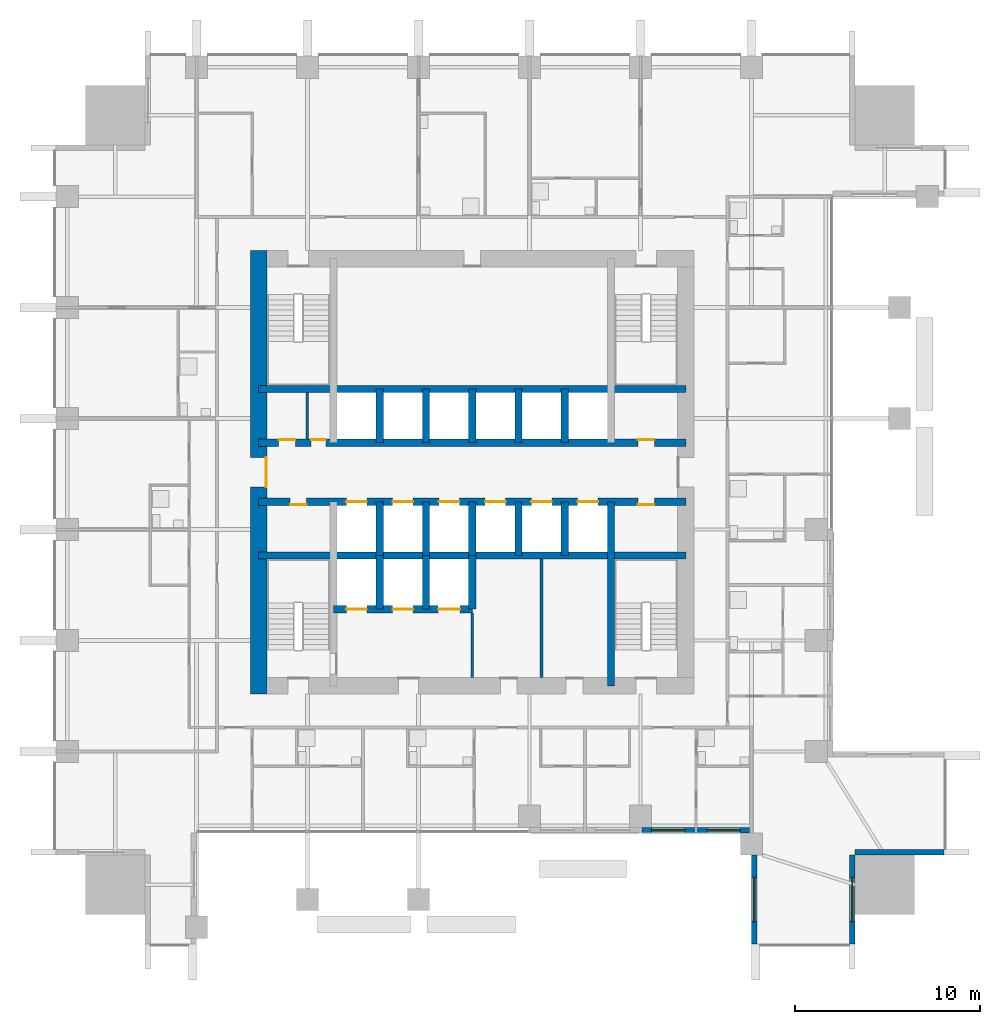
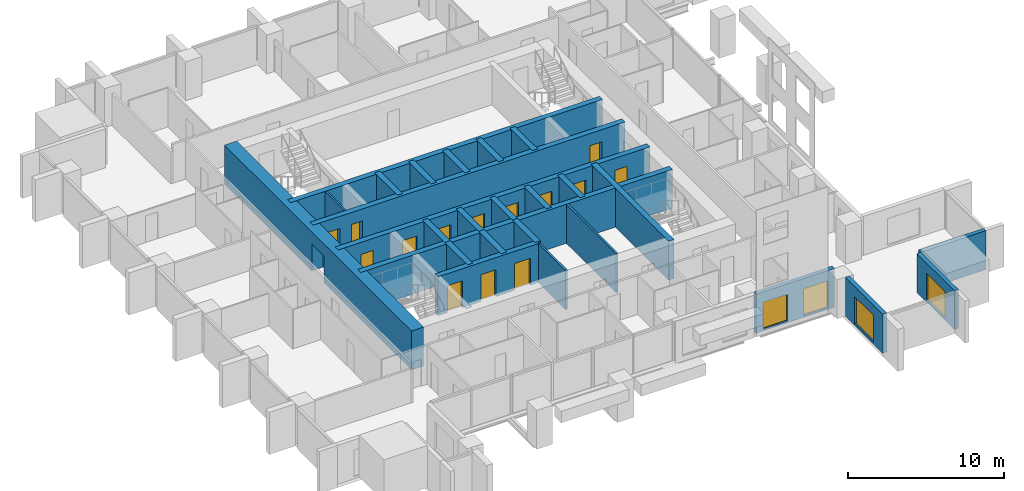
# One storey, part 8 of 13: 27 walls, 15 doors, 4 windows, 19 openings.
"""IFC4 building model written with IfcOpenShell, lengths in metres."""

from ifc_helpers import new_model, si_unit, direction, frame, frame_2d, origin, place, context, subcontext, project, spatial, rectangle, extrude, material, layer, layer_set, type_object, element, fill, save


model = new_model("IFC4")

# Units and contexts
model_context = context("Model", 3, precision=1e-05, world=origin(), true_north=direction((0.0, 1.0)))
body_context = subcontext(model_context, "Body", "Model", "MODEL_VIEW")
ifc_project = project(units=[si_unit("LENGTHUNIT", "METRE"), si_unit("AREAUNIT", "SQUARE_METRE"), si_unit("VOLUMEUNIT", "CUBIC_METRE"), si_unit("PLANEANGLEUNIT", "RADIAN"), si_unit("MASSUNIT", "GRAM", prefix="KILO")], contexts=[model_context])

# Site, building, storey
site_placement = place(None, origin())
site = spatial("IfcSite", under=ifc_project, at=site_placement, CompositionType="ELEMENT")
building_placement = place(site_placement, origin())
building = spatial("IfcBuilding", under=site, at=building_placement, Name="Amberfall Residences", CompositionType="ELEMENT")
storey_placement = place(building_placement, frame((0.0, 0.0, 56.5)))
storey = spatial("IfcBuildingStorey", under=building, at=storey_placement, Name="L15", CompositionType="ELEMENT", Elevation=56.5)

# Wall, opening, window
ifc_material_1 = material(Name="Pale stone cladding on insulated backing", Category="masonry")
ifc_layer_1 = layer(ifc_material_1, 0.300048828125)
ifc_layer_set_1 = layer_set([ifc_layer_1], Name="Bronze clad wall 300")
wall_type_1 = type_object("IfcWallType", Name="Bronze clad wall 300", PredefinedType="SOLIDWALL", material=ifc_layer_set_1)
wall_1_placement = place(storey_placement, frame((89.75, 24.800048828125, 0.0), z_axis=(0.0, 0.0, 1.0), x_axis=(0.0, -1.0, 0.0)))
wall_1 = element("IfcWall", 1, at=wall_1_placement, inside=storey, type_object=wall_type_1, Name="External wall L15 S", PredefinedType="SOLIDWALL", context=body_context, shape_type="SweptSolid", body=[
    extrude(rectangle(XDim=4.800048828125, YDim=0.300048828125, at=frame_2d((2.39990234375, 0.0))), origin(), (0.0, 0.0, 1.0), 3.050048828125),
])
opening_1_placement = place(wall_1_placement, frame((1.199951171875, 0.0, 0.14990234375)))
opening_1 = element("IfcOpeningElement", 2, at=opening_1_placement, cuts=wall_1, Name="Opening WN5", PredefinedType="OPENING", context=body_context, shape_type="SweptSolid", body=[
    extrude(rectangle(XDim=2.39990234375, YDim=2.10009765625, at=frame_2d((1.199951171875, 1.050048828125))), frame((0.0, 0.159912109375, 0.0), z_axis=(0.0, -1.0, 0.0), x_axis=(1.0, 0.0, 0.0)), (0.0, 0.0, 1.0), 0.320068359375),
])
ifc_material_2 = material(Name="Bronze aluminium framed glazing", Category="aluminium")
window_type_1 = type_object("IfcWindowType", Name="Glazed opening 2400 x 2100 bronze", PartitioningType="DOUBLE_PANEL_VERTICAL", PredefinedType="WINDOW", material=ifc_material_2)
window_1_placement = place(opening_1_placement, origin())
window_1 = element("IfcWindow", 3, at=window_1_placement, inside=storey, type_object=window_type_1, Name="Window L15 S", OverallHeight=2.10009765625, OverallWidth=2.39990234375, PartitioningType="DOUBLE_PANEL_VERTICAL", PredefinedType="WINDOW", context=body_context, shape_type="SweptSolid", body=[
    extrude(rectangle(XDim=2.39990234375, YDim=2.10009765625, at=frame_2d((1.199951171875, 1.050048828125))), frame((0.0, 0.030029296875, 0.0), z_axis=(0.0, -1.0, 0.0), x_axis=(1.0, 0.0, 0.0)), (0.0, 0.0, 1.0), 0.06005859375),
])
fill(opening_1, window_1)

wall_2_placement = place(storey_placement, frame((95.050048828125, 20.0, 0.0), z_axis=(0.0, 0.0, 1.0), x_axis=(0.0, 1.0, 0.0)))
wall_2 = element("IfcWall", 4, at=wall_2_placement, inside=storey, type_object=wall_type_1, Name="External wall L15 SE", PredefinedType="SOLIDWALL", context=body_context, shape_type="SweptSolid", body=[
    extrude(rectangle(XDim=4.800048828125, YDim=0.300048828125, at=frame_2d((2.39990234375, 0.0))), origin(), (0.0, 0.0, 1.0), 3.050048828125),
])
opening_2_placement = place(wall_2_placement, frame((1.199951171875, 0.0, 0.14990234375)))
opening_2 = element("IfcOpeningElement", 5, at=opening_2_placement, cuts=wall_2, Name="Opening WN5", PredefinedType="OPENING", context=body_context, shape_type="SweptSolid", body=[
    extrude(rectangle(XDim=2.39990234375, YDim=2.10009765625, at=frame_2d((1.199951171875, 1.050048828125))), frame((0.0, 0.159912109375, 0.0), z_axis=(0.0, -1.0, 0.0), x_axis=(1.0, 0.0, 0.0)), (0.0, 0.0, 1.0), 0.320068359375),
])
window_2_placement = place(opening_2_placement, origin())
window_2 = element("IfcWindow", 6, at=window_2_placement, inside=storey, type_object=window_type_1, Name="Window L15 SE", OverallHeight=2.10009765625, OverallWidth=2.39990234375, PartitioningType="DOUBLE_PANEL_VERTICAL", PredefinedType="WINDOW", context=body_context, shape_type="SweptSolid", body=[
    extrude(rectangle(XDim=2.39990234375, YDim=2.10009765625, at=frame_2d((1.199951171875, 1.050048828125))), frame((0.0, 0.030029296875, 0.0), z_axis=(0.0, -1.0, 0.0), x_axis=(1.0, 0.0, 0.0)), (0.0, 0.0, 1.0), 0.06005859375),
])
fill(opening_2, window_2)

# Wall
wall_3_placement = place(storey_placement, frame((95.199951171875, 24.949951171875, 0.0), z_axis=(0.0, 0.0, 1.0), x_axis=(1.0, 0.0, 0.0)))
element("IfcWall", 7, at=wall_3_placement, inside=storey, type_object=wall_type_1, Name="External wall L15 SE", PredefinedType="SOLIDWALL", context=body_context, shape_type="SweptSolid", body=[
    extrude(rectangle(XDim=4.800048828125, YDim=0.300048828125, at=frame_2d((2.39990234375, 0.0))), origin(), (0.0, 0.0, 1.0), 3.050048828125),
])

# Wall, openings, windows
wall_4_placement = place(storey_placement, frame((83.68994140625, 26.14990234375, 0.0), z_axis=(0.0, 0.0, 1.0), x_axis=(1.0, 0.0, 0.0)))
wall_4 = element("IfcWall", 8, at=wall_4_placement, inside=storey, type_object=wall_type_1, Name="Stone wall L15 S", PredefinedType="SOLIDWALL", context=body_context, shape_type="SweptSolid", body=[
    extrude(rectangle(XDim=5.800048828125, YDim=0.300048828125, at=frame_2d((2.89990234375, 0.0))), origin(), (0.0, 0.0, 1.0), 3.050048828125),
])
opening_3_placement = place(wall_4_placement, frame((0.510009765625, 0.0, 0.14990234375)))
opening_3 = element("IfcOpeningElement", 9, at=opening_3_placement, cuts=wall_4, Name="Opening WN6", PredefinedType="OPENING", context=body_context, shape_type="SweptSolid", body=[
    extrude(rectangle(XDim=1.800048828125, YDim=2.10009765625, at=frame_2d((0.89990234375, 1.050048828125))), frame((0.0, 0.159912109375, 0.0), z_axis=(0.0, -1.0, 0.0), x_axis=(1.0, 0.0, 0.0)), (0.0, 0.0, 1.0), 0.320068359375),
])
opening_4_placement = place(wall_4_placement, frame((3.510009765625, 0.0, 0.14990234375)))
opening_4 = element("IfcOpeningElement", 10, at=opening_4_placement, cuts=wall_4, Name="Opening WN6", PredefinedType="OPENING", context=body_context, shape_type="SweptSolid", body=[
    extrude(rectangle(XDim=1.800048828125, YDim=2.10009765625, at=frame_2d((0.89990234375, 1.050048828125))), frame((0.0, 0.159912109375, 0.0), z_axis=(0.0, -1.0, 0.0), x_axis=(1.0, 0.0, 0.0)), (0.0, 0.0, 1.0), 0.320068359375),
])
window_type_2 = type_object("IfcWindowType", Name="Glazed opening 1800 x 2100 bronze", PartitioningType="DOUBLE_PANEL_VERTICAL", PredefinedType="WINDOW", material=ifc_material_2)
window_3_placement = place(opening_3_placement, origin())
window_3 = element("IfcWindow", 11, at=window_3_placement, inside=storey, type_object=window_type_2, Name="Window L15 S", OverallHeight=2.10009765625, OverallWidth=1.800048828125, PartitioningType="DOUBLE_PANEL_VERTICAL", PredefinedType="WINDOW", context=body_context, shape_type="SweptSolid", body=[
    extrude(rectangle(XDim=1.800048828125, YDim=2.10009765625, at=frame_2d((0.89990234375, 1.050048828125))), frame((0.0, 0.030029296875, 0.0), z_axis=(0.0, -1.0, 0.0), x_axis=(1.0, 0.0, 0.0)), (0.0, 0.0, 1.0), 0.06005859375),
])
fill(opening_3, window_3)
window_4_placement = place(opening_4_placement, origin())
window_4 = element("IfcWindow", 12, at=window_4_placement, inside=storey, type_object=window_type_2, Name="Window L15 S", OverallHeight=2.10009765625, OverallWidth=1.800048828125, PartitioningType="DOUBLE_PANEL_VERTICAL", PredefinedType="WINDOW", context=body_context, shape_type="SweptSolid", body=[
    extrude(rectangle(XDim=1.800048828125, YDim=2.10009765625, at=frame_2d((0.89990234375, 1.050048828125))), frame((0.0, 0.030029296875, 0.0), z_axis=(0.0, -1.0, 0.0), x_axis=(1.0, 0.0, 0.0)), (0.0, 0.0, 1.0), 0.06005859375),
])
fill(opening_4, window_4)

# Wall
ifc_material_3 = material(Name="Concrete C80", Category="concrete")
ifc_layer_2 = layer(ifc_material_3, 0.39990234375)
ifc_layer_set_2 = layer_set([ifc_layer_2], Name="Core wall 400 C80")
wall_type_2 = type_object("IfcWallType", Name="Core wall 400 C80", PredefinedType="SHEAR", material=ifc_layer_set_2)
wall_5_placement = place(storey_placement, frame((62.949951171875, 41.0, 0.0), z_axis=(0.0, 0.0, 1.0), x_axis=(1.0, 0.0, 0.0)))
element("IfcWall", 13, at=wall_5_placement, inside=storey, type_object=wall_type_2, Name="Core wall RW2 L15 H75", PredefinedType="SHEAR", context=body_context, shape_type="SweptSolid", body=[
    extrude(rectangle(XDim=23.10009765625, YDim=0.39990234375, at=frame_2d((11.550048828125, 0.0))), origin(), (0.0, 0.0, 1.0), 3.050048828125),
])

# Wall, openings, doors
wall_6_placement = place(storey_placement, frame((62.949951171875, 43.89990234375, 0.0), z_axis=(0.0, 0.0, 1.0), x_axis=(1.0, 0.0, 0.0)))
wall_6 = element("IfcWall", 14, at=wall_6_placement, inside=storey, type_object=wall_type_2, Name="Core wall RW2 L15 H104", PredefinedType="SHEAR", context=body_context, shape_type="SweptSolid", body=[
    extrude(rectangle(XDim=23.10009765625, YDim=0.39990234375, at=frame_2d((11.550048828125, 0.0))), origin(), (0.0, 0.0, 1.0), 3.050048828125),
])
opening_5_placement = place(wall_6_placement, frame((1.699951171875, 0.0, 0.0)))
opening_5 = element("IfcOpeningElement", 15, at=opening_5_placement, cuts=wall_6, Name="Opening RD1", PredefinedType="OPENING", context=body_context, shape_type="SweptSolid", body=[
    extrude(rectangle(XDim=0.89990234375, YDim=2.10009765625, at=frame_2d((0.449951171875, 1.050048828125))), frame((0.0, 0.2099609375, 0.0), z_axis=(0.0, -1.0, 0.0), x_axis=(1.0, 0.0, 0.0)), (0.0, 0.0, 1.0), 0.419921875),
])
opening_6_placement = place(wall_6_placement, frame((20.5, 0.0, 0.0)))
opening_6 = element("IfcOpeningElement", 16, at=opening_6_placement, cuts=wall_6, Name="Opening RD1", PredefinedType="OPENING", context=body_context, shape_type="SweptSolid", body=[
    extrude(rectangle(XDim=0.89990234375, YDim=2.10009765625, at=frame_2d((0.449951171875, 1.050048828125))), frame((0.0, 0.2099609375, 0.0), z_axis=(0.0, -1.0, 0.0), x_axis=(1.0, 0.0, 0.0)), (0.0, 0.0, 1.0), 0.419921875),
])
opening_7_placement = place(wall_6_placement, frame((4.75, 0.0, 0.0)))
opening_7 = element("IfcOpeningElement", 17, at=opening_7_placement, cuts=wall_6, Name="Opening LD1", PredefinedType="OPENING", context=body_context, shape_type="SweptSolid", body=[
    extrude(rectangle(XDim=1.10009765625, YDim=2.10009765625, at=frame_2d((0.550048828125, 1.050048828125))), frame((0.0, 0.2099609375, 0.0), z_axis=(0.0, -1.0, 0.0), x_axis=(1.0, 0.0, 0.0)), (0.0, 0.0, 1.0), 0.419921875),
])
opening_8_placement = place(wall_6_placement, frame((7.25, 0.0, 0.0)))
opening_8 = element("IfcOpeningElement", 18, at=opening_8_placement, cuts=wall_6, Name="Opening LD1", PredefinedType="OPENING", context=body_context, shape_type="SweptSolid", body=[
    extrude(rectangle(XDim=1.10009765625, YDim=2.10009765625, at=frame_2d((0.550048828125, 1.050048828125))), frame((0.0, 0.2099609375, 0.0), z_axis=(0.0, -1.0, 0.0), x_axis=(1.0, 0.0, 0.0)), (0.0, 0.0, 1.0), 0.419921875),
])
opening_9_placement = place(wall_6_placement, frame((9.75, 0.0, 0.0)))
opening_9 = element("IfcOpeningElement", 19, at=opening_9_placement, cuts=wall_6, Name="Opening LD1", PredefinedType="OPENING", context=body_context, shape_type="SweptSolid", body=[
    extrude(rectangle(XDim=1.10009765625, YDim=2.10009765625, at=frame_2d((0.550048828125, 1.050048828125))), frame((0.0, 0.2099609375, 0.0), z_axis=(0.0, -1.0, 0.0), x_axis=(1.0, 0.0, 0.0)), (0.0, 0.0, 1.0), 0.419921875),
])
opening_10_placement = place(wall_6_placement, frame((12.25, 0.0, 0.0)))
opening_10 = element("IfcOpeningElement", 20, at=opening_10_placement, cuts=wall_6, Name="Opening LD1", PredefinedType="OPENING", context=body_context, shape_type="SweptSolid", body=[
    extrude(rectangle(XDim=1.10009765625, YDim=2.10009765625, at=frame_2d((0.550048828125, 1.050048828125))), frame((0.0, 0.2099609375, 0.0), z_axis=(0.0, -1.0, 0.0), x_axis=(1.0, 0.0, 0.0)), (0.0, 0.0, 1.0), 0.419921875),
])
opening_11_placement = place(wall_6_placement, frame((14.75, 0.0, 0.0)))
opening_11 = element("IfcOpeningElement", 21, at=opening_11_placement, cuts=wall_6, Name="Opening LD1", PredefinedType="OPENING", context=body_context, shape_type="SweptSolid", body=[
    extrude(rectangle(XDim=1.10009765625, YDim=2.10009765625, at=frame_2d((0.550048828125, 1.050048828125))), frame((0.0, 0.2099609375, 0.0), z_axis=(0.0, -1.0, 0.0), x_axis=(1.0, 0.0, 0.0)), (0.0, 0.0, 1.0), 0.419921875),
])
opening_12_placement = place(wall_6_placement, frame((17.25, 0.0, 0.0)))
opening_12 = element("IfcOpeningElement", 22, at=opening_12_placement, cuts=wall_6, Name="Opening LD1", PredefinedType="OPENING", context=body_context, shape_type="SweptSolid", body=[
    extrude(rectangle(XDim=1.10009765625, YDim=2.10009765625, at=frame_2d((0.550048828125, 1.050048828125))), frame((0.0, 0.2099609375, 0.0), z_axis=(0.0, -1.0, 0.0), x_axis=(1.0, 0.0, 0.0)), (0.0, 0.0, 1.0), 0.419921875),
])
ifc_material_4 = material(Name="Steel fire door set", Category="steel")
door_type_1 = type_object("IfcDoorType", Name="Lift landing door 1100 x 2100", OperationType="DOUBLE_DOOR_SLIDING", PredefinedType="DOOR", material=ifc_material_4)
door_1_placement = place(opening_7_placement, origin())
door_1 = element("IfcDoor", 23, at=door_1_placement, inside=storey, type_object=door_type_1, Name="Landing door LP1 L15", OperationType="DOUBLE_DOOR_SLIDING", OverallHeight=2.10009765625, OverallWidth=1.10009765625, PredefinedType="DOOR", context=body_context, shape_type="SweptSolid", body=[
    extrude(rectangle(XDim=1.10009765625, YDim=2.10009765625, at=frame_2d((0.550048828125, 1.050048828125))), frame((0.0, 0.02490234375, 0.0), z_axis=(0.0, -1.0, 0.0), x_axis=(1.0, 0.0, 0.0)), (0.0, 0.0, 1.0), 0.050048828125),
])
fill(opening_7, door_1)
door_2_placement = place(opening_8_placement, origin())
door_2 = element("IfcDoor", 24, at=door_2_placement, inside=storey, type_object=door_type_1, Name="Landing door LP2 L15", OperationType="DOUBLE_DOOR_SLIDING", OverallHeight=2.10009765625, OverallWidth=1.10009765625, PredefinedType="DOOR", context=body_context, shape_type="SweptSolid", body=[
    extrude(rectangle(XDim=1.10009765625, YDim=2.10009765625, at=frame_2d((0.550048828125, 1.050048828125))), frame((0.0, 0.02490234375, 0.0), z_axis=(0.0, -1.0, 0.0), x_axis=(1.0, 0.0, 0.0)), (0.0, 0.0, 1.0), 0.050048828125),
])
fill(opening_8, door_2)
door_3_placement = place(opening_9_placement, origin())
door_3 = element("IfcDoor", 25, at=door_3_placement, inside=storey, type_object=door_type_1, Name="Landing door LP3 L15", OperationType="DOUBLE_DOOR_SLIDING", OverallHeight=2.10009765625, OverallWidth=1.10009765625, PredefinedType="DOOR", context=body_context, shape_type="SweptSolid", body=[
    extrude(rectangle(XDim=1.10009765625, YDim=2.10009765625, at=frame_2d((0.550048828125, 1.050048828125))), frame((0.0, 0.02490234375, 0.0), z_axis=(0.0, -1.0, 0.0), x_axis=(1.0, 0.0, 0.0)), (0.0, 0.0, 1.0), 0.050048828125),
])
fill(opening_9, door_3)
door_4_placement = place(opening_10_placement, origin())
door_4 = element("IfcDoor", 26, at=door_4_placement, inside=storey, type_object=door_type_1, Name="Landing door LP4 L15", OperationType="DOUBLE_DOOR_SLIDING", OverallHeight=2.10009765625, OverallWidth=1.10009765625, PredefinedType="DOOR", context=body_context, shape_type="SweptSolid", body=[
    extrude(rectangle(XDim=1.10009765625, YDim=2.10009765625, at=frame_2d((0.550048828125, 1.050048828125))), frame((0.0, 0.02490234375, 0.0), z_axis=(0.0, -1.0, 0.0), x_axis=(1.0, 0.0, 0.0)), (0.0, 0.0, 1.0), 0.050048828125),
])
fill(opening_10, door_4)
door_5_placement = place(opening_11_placement, origin())
door_5 = element("IfcDoor", 27, at=door_5_placement, inside=storey, type_object=door_type_1, Name="Landing door LP5 L15", OperationType="DOUBLE_DOOR_SLIDING", OverallHeight=2.10009765625, OverallWidth=1.10009765625, PredefinedType="DOOR", context=body_context, shape_type="SweptSolid", body=[
    extrude(rectangle(XDim=1.10009765625, YDim=2.10009765625, at=frame_2d((0.550048828125, 1.050048828125))), frame((0.0, 0.02490234375, 0.0), z_axis=(0.0, -1.0, 0.0), x_axis=(1.0, 0.0, 0.0)), (0.0, 0.0, 1.0), 0.050048828125),
])
fill(opening_11, door_5)
door_6_placement = place(opening_12_placement, origin())
door_6 = element("IfcDoor", 28, at=door_6_placement, inside=storey, type_object=door_type_1, Name="Landing door LP6 L15", OperationType="DOUBLE_DOOR_SLIDING", OverallHeight=2.10009765625, OverallWidth=1.10009765625, PredefinedType="DOOR", context=body_context, shape_type="SweptSolid", body=[
    extrude(rectangle(XDim=1.10009765625, YDim=2.10009765625, at=frame_2d((0.550048828125, 1.050048828125))), frame((0.0, 0.02490234375, 0.0), z_axis=(0.0, -1.0, 0.0), x_axis=(1.0, 0.0, 0.0)), (0.0, 0.0, 1.0), 0.050048828125),
])
fill(opening_12, door_6)
door_type_2 = type_object("IfcDoorType", Name="Service room door 900 x 2100", OperationType="SINGLE_SWING_LEFT", PredefinedType="DOOR", material=ifc_material_4)
door_7_placement = place(opening_5_placement, origin())
door_7 = element("IfcDoor", 29, at=door_7_placement, inside=storey, type_object=door_type_2, Name="RD1 L15", OperationType="SINGLE_SWING_LEFT", OverallHeight=2.10009765625, OverallWidth=0.89990234375, PredefinedType="DOOR", context=body_context, shape_type="SweptSolid", body=[
    extrude(rectangle(XDim=0.89990234375, YDim=2.10009765625, at=frame_2d((0.449951171875, 1.050048828125))), frame((0.0, -0.1376953125, 0.0), z_axis=(0.0, -1.0, 0.0), x_axis=(1.0, 0.0, 0.0)), (0.0, 0.0, 1.0), 0.050048828125),
])
fill(opening_5, door_7)
door_8_placement = place(opening_6_placement, origin())
door_8 = element("IfcDoor", 30, at=door_8_placement, inside=storey, type_object=door_type_2, Name="RD1 L15", OperationType="SINGLE_SWING_LEFT", OverallHeight=2.10009765625, OverallWidth=0.89990234375, PredefinedType="DOOR", context=body_context, shape_type="SweptSolid", body=[
    extrude(rectangle(XDim=0.89990234375, YDim=2.10009765625, at=frame_2d((0.449951171875, 1.050048828125))), frame((0.0, -0.1376953125, 0.0), z_axis=(0.0, -1.0, 0.0), x_axis=(1.0, 0.0, 0.0)), (0.0, 0.0, 1.0), 0.050048828125),
])
fill(opening_6, door_8)

wall_7_placement = place(storey_placement, frame((62.949951171875, 47.10009765625, 0.0), z_axis=(0.0, 0.0, 1.0), x_axis=(1.0, 0.0, 0.0)))
wall_7 = element("IfcWall", 31, at=wall_7_placement, inside=storey, type_object=wall_type_2, Name="Core wall RW2 L15 H136", PredefinedType="SHEAR", context=body_context, shape_type="SweptSolid", body=[
    extrude(rectangle(XDim=23.10009765625, YDim=0.39990234375, at=frame_2d((11.550048828125, 0.0))), origin(), (0.0, 0.0, 1.0), 3.050048828125),
])
opening_13_placement = place(wall_7_placement, frame((1.087890625, 0.0, 0.0)))
opening_13 = element("IfcOpeningElement", 32, at=opening_13_placement, cuts=wall_7, Name="Opening RD1", PredefinedType="OPENING", context=body_context, shape_type="SweptSolid", body=[
    extrude(rectangle(XDim=0.89990234375, YDim=2.10009765625, at=frame_2d((0.449951171875, 1.050048828125))), frame((0.0, 0.2099609375, 0.0), z_axis=(0.0, -1.0, 0.0), x_axis=(1.0, 0.0, 0.0)), (0.0, 0.0, 1.0), 0.419921875),
])
opening_14_placement = place(wall_7_placement, frame((2.837890625, 0.0, 0.0)))
opening_14 = element("IfcOpeningElement", 33, at=opening_14_placement, cuts=wall_7, Name="Opening RD2", PredefinedType="OPENING", context=body_context, shape_type="SweptSolid", body=[
    extrude(rectangle(XDim=0.800048828125, YDim=2.10009765625, at=frame_2d((0.39990234375, 1.050048828125))), frame((0.0, 0.2099609375, 0.0), z_axis=(0.0, -1.0, 0.0), x_axis=(1.0, 0.0, 0.0)), (0.0, 0.0, 1.0), 0.419921875),
])
opening_15_placement = place(wall_7_placement, frame((20.5, 0.0, 0.0)))
opening_15 = element("IfcOpeningElement", 34, at=opening_15_placement, cuts=wall_7, Name="Opening RD1", PredefinedType="OPENING", context=body_context, shape_type="SweptSolid", body=[
    extrude(rectangle(XDim=0.89990234375, YDim=2.10009765625, at=frame_2d((0.449951171875, 1.050048828125))), frame((0.0, 0.2099609375, 0.0), z_axis=(0.0, -1.0, 0.0), x_axis=(1.0, 0.0, 0.0)), (0.0, 0.0, 1.0), 0.419921875),
])
door_type_3 = type_object("IfcDoorType", Name="Service room door 800 x 2100", OperationType="SINGLE_SWING_LEFT", PredefinedType="DOOR", material=ifc_material_4)
door_9_placement = place(opening_14_placement, origin())
door_9 = element("IfcDoor", 35, at=door_9_placement, inside=storey, type_object=door_type_3, Name="RD2 L15", OperationType="SINGLE_SWING_RIGHT", OverallHeight=2.10009765625, OverallWidth=0.800048828125, PredefinedType="DOOR", context=body_context, shape_type="SweptSolid", body=[
    extrude(rectangle(XDim=0.800048828125, YDim=2.10009765625, at=frame_2d((0.39990234375, 1.050048828125))), frame((0.0, 0.1875, 0.0), z_axis=(0.0, -1.0, 0.0), x_axis=(1.0, 0.0, 0.0)), (0.0, 0.0, 1.0), 0.050048828125),
])
fill(opening_14, door_9)
door_10_placement = place(opening_13_placement, origin())
door_10 = element("IfcDoor", 36, at=door_10_placement, inside=storey, type_object=door_type_2, Name="RD1 L15", OperationType="SINGLE_SWING_LEFT", OverallHeight=2.10009765625, OverallWidth=0.89990234375, PredefinedType="DOOR", context=body_context, shape_type="SweptSolid", body=[
    extrude(rectangle(XDim=0.89990234375, YDim=2.10009765625, at=frame_2d((0.449951171875, 1.050048828125))), frame((0.0, 0.1875, 0.0), z_axis=(0.0, -1.0, 0.0), x_axis=(1.0, 0.0, 0.0)), (0.0, 0.0, 1.0), 0.050048828125),
])
fill(opening_13, door_10)
door_11_placement = place(opening_15_placement, origin())
door_11 = element("IfcDoor", 37, at=door_11_placement, inside=storey, type_object=door_type_2, Name="RD1 L15", OperationType="SINGLE_SWING_LEFT", OverallHeight=2.10009765625, OverallWidth=0.89990234375, PredefinedType="DOOR", context=body_context, shape_type="SweptSolid", body=[
    extrude(rectangle(XDim=0.89990234375, YDim=2.10009765625, at=frame_2d((0.449951171875, 1.050048828125))), frame((0.0, 0.1875, 0.0), z_axis=(0.0, -1.0, 0.0), x_axis=(1.0, 0.0, 0.0)), (0.0, 0.0, 1.0), 0.050048828125),
])
fill(opening_15, door_11)

# Walls
wall_8_placement = place(storey_placement, frame((62.949951171875, 50.0, 0.0), z_axis=(0.0, 0.0, 1.0), x_axis=(1.0, 0.0, 0.0)))
element("IfcWall", 38, at=wall_8_placement, inside=storey, type_object=wall_type_2, Name="Core wall RW2 L15 H165", PredefinedType="SHEAR", context=body_context, shape_type="SweptSolid", body=[
    extrude(rectangle(XDim=23.10009765625, YDim=0.39990234375, at=frame_2d((11.550048828125, 0.0))), origin(), (0.0, 0.0, 1.0), 3.050048828125),
])
wall_9_placement = place(storey_placement, frame((82.0, 33.949951171875, 0.0), z_axis=(0.0, 0.0, 1.0), x_axis=(0.0, 1.0, 0.0)))
element("IfcWall", 39, at=wall_9_placement, inside=storey, type_object=wall_type_2, Name="Core wall RW2 L15 V195S", PredefinedType="SHEAR", context=body_context, shape_type="SweptSolid", body=[
    extrude(rectangle(XDim=9.949951171875, YDim=0.39990234375, at=frame_2d((4.97509765625, 0.0))), origin(), (0.0, 0.0, 1.0), 3.050048828125),
])
for number, where, z_axis, x_axis, name in (
    (40, (69.5, 41.0, 0.0), (0.0, 0.0, 1.0), (0.0, 1.0, 0.0), "Core wall RW2 L15 LPD1"),
    (41, (69.5, 47.10009765625, 0.0), (0.0, 0.0, 1.0), (0.0, 1.0, 0.0), "Core wall RW2 L15 HPD1"),
    (42, (72.0, 41.0, 0.0), (0.0, 0.0, 1.0), (0.0, 1.0, 0.0), "Core wall RW2 L15 LPD2"),
    (43, (72.0, 47.10009765625, 0.0), (0.0, 0.0, 1.0), (0.0, 1.0, 0.0), "Core wall RW2 L15 HPD2"),
    (44, (74.5, 41.0, 0.0), (0.0, 0.0, 1.0), (0.0, 1.0, 0.0), "Core wall RW2 L15 LPD3"),
    (45, (74.5, 47.10009765625, 0.0), (0.0, 0.0, 1.0), (0.0, 1.0, 0.0), "Core wall RW2 L15 HPD3"),
    (46, (77.0, 41.0, 0.0), (0.0, 0.0, 1.0), (0.0, 1.0, 0.0), "Core wall RW2 L15 LPD4"),
    (47, (77.0, 47.10009765625, 0.0), (0.0, 0.0, 1.0), (0.0, 1.0, 0.0), "Core wall RW2 L15 HPD4"),
    (48, (79.5, 41.0, 0.0), (0.0, 0.0, 1.0), (0.0, 1.0, 0.0), "Core wall RW2 L15 LPD5"),
    (49, (79.5, 47.10009765625, 0.0), (0.0, 0.0, 1.0), (0.0, 1.0, 0.0), "Core wall RW2 L15 HPD5"),
):
    element("IfcWall", number, at=place(storey_placement, frame(where, z_axis=z_axis, x_axis=x_axis)), inside=storey, type_object=wall_type_2, Name=name, PredefinedType="SHEAR", context=body_context, shape_type="SweptSolid", body=[
        extrude(rectangle(XDim=2.89990234375, YDim=0.39990234375, at=frame_2d((1.449951171875, 0.0))), origin(), (0.0, 0.0, 1.0), 3.050048828125),
    ])

# Wall, openings, doors
wall_10_placement = place(storey_placement, frame((67.0, 38.10009765625, 0.0), z_axis=(0.0, 0.0, 1.0), x_axis=(1.0, 0.0, 0.0)))
wall_10 = element("IfcWall", 50, at=wall_10_placement, inside=storey, type_object=wall_type_2, Name="Core wall RW2 L15 FFF", PredefinedType="SHEAR", context=body_context, shape_type="SweptSolid", body=[
    extrude(rectangle(XDim=7.5, YDim=0.39990234375, at=frame_2d((3.75, 0.0))), origin(), (0.0, 0.0, 1.0), 3.050048828125),
])
opening_16_placement = place(wall_10_placement, frame((0.699951171875, 0.0, 0.0)))
opening_16 = element("IfcOpeningElement", 51, at=opening_16_placement, cuts=wall_10, Name="Opening LD2", PredefinedType="OPENING", context=body_context, shape_type="SweptSolid", body=[
    extrude(rectangle(XDim=1.10009765625, YDim=2.10009765625, at=frame_2d((0.550048828125, 1.050048828125))), frame((0.0, 0.2099609375, 0.0), z_axis=(0.0, -1.0, 0.0), x_axis=(1.0, 0.0, 0.0)), (0.0, 0.0, 1.0), 0.419921875),
])
opening_17_placement = place(wall_10_placement, frame((3.199951171875, 0.0, 0.0)))
opening_17 = element("IfcOpeningElement", 52, at=opening_17_placement, cuts=wall_10, Name="Opening LD2", PredefinedType="OPENING", context=body_context, shape_type="SweptSolid", body=[
    extrude(rectangle(XDim=1.10009765625, YDim=2.10009765625, at=frame_2d((0.550048828125, 1.050048828125))), frame((0.0, 0.2099609375, 0.0), z_axis=(0.0, -1.0, 0.0), x_axis=(1.0, 0.0, 0.0)), (0.0, 0.0, 1.0), 0.419921875),
])
opening_18_placement = place(wall_10_placement, frame((5.64990234375, 0.0, 0.0)))
opening_18 = element("IfcOpeningElement", 53, at=opening_18_placement, cuts=wall_10, Name="Opening LD3", PredefinedType="OPENING", context=body_context, shape_type="SweptSolid", body=[
    extrude(rectangle(XDim=1.199951171875, YDim=2.10009765625, at=frame_2d((0.60009765625, 1.050048828125))), frame((0.0, 0.2099609375, 0.0), z_axis=(0.0, -1.0, 0.0), x_axis=(1.0, 0.0, 0.0)), (0.0, 0.0, 1.0), 0.419921875),
])
door_type_4 = type_object("IfcDoorType", Name="Firefighting lift landing door 1100 x 2100", OperationType="DOUBLE_DOOR_SLIDING", PredefinedType="DOOR", material=ifc_material_4)
door_12_placement = place(opening_16_placement, origin())
door_12 = element("IfcDoor", 54, at=door_12_placement, inside=storey, type_object=door_type_4, Name="Landing door FF1 L15", OperationType="DOUBLE_DOOR_SLIDING", OverallHeight=2.10009765625, OverallWidth=1.10009765625, PredefinedType="DOOR", context=body_context, shape_type="SweptSolid", body=[
    extrude(rectangle(XDim=1.10009765625, YDim=2.10009765625, at=frame_2d((0.550048828125, 1.050048828125))), frame((0.0, 0.02490234375, 0.0), z_axis=(0.0, -1.0, 0.0), x_axis=(1.0, 0.0, 0.0)), (0.0, 0.0, 1.0), 0.050048828125),
])
fill(opening_16, door_12)
door_13_placement = place(opening_17_placement, origin())
door_13 = element("IfcDoor", 55, at=door_13_placement, inside=storey, type_object=door_type_4, Name="Landing door FF2 L15", OperationType="DOUBLE_DOOR_SLIDING", OverallHeight=2.10009765625, OverallWidth=1.10009765625, PredefinedType="DOOR", context=body_context, shape_type="SweptSolid", body=[
    extrude(rectangle(XDim=1.10009765625, YDim=2.10009765625, at=frame_2d((0.550048828125, 1.050048828125))), frame((0.0, 0.02490234375, 0.0), z_axis=(0.0, -1.0, 0.0), x_axis=(1.0, 0.0, 0.0)), (0.0, 0.0, 1.0), 0.050048828125),
])
fill(opening_17, door_13)
door_type_5 = type_object("IfcDoorType", Name="Service lift landing door 1200 x 2100", OperationType="DOUBLE_DOOR_SLIDING", PredefinedType="DOOR", material=ifc_material_4)
door_14_placement = place(opening_18_placement, origin())
door_14 = element("IfcDoor", 56, at=door_14_placement, inside=storey, type_object=door_type_5, Name="Landing door SL1 L15", OperationType="DOUBLE_DOOR_SLIDING", OverallHeight=2.10009765625, OverallWidth=1.199951171875, PredefinedType="DOOR", context=body_context, shape_type="SweptSolid", body=[
    extrude(rectangle(XDim=1.199951171875, YDim=2.10009765625, at=frame_2d((0.60009765625, 1.050048828125))), frame((0.0, 0.02490234375, 0.0), z_axis=(0.0, -1.0, 0.0), x_axis=(1.0, 0.0, 0.0)), (0.0, 0.0, 1.0), 0.050048828125),
])
fill(opening_18, door_14)

# Walls
for number, where, z_axis, x_axis, name in (
    (57, (69.5, 38.10009765625, 0.0), (0.0, 0.0, 1.0), (0.0, 1.0, 0.0), "Core wall RW2 L15 FFD1"),
    (58, (72.0, 38.10009765625, 0.0), (0.0, 0.0, 1.0), (0.0, 1.0, 0.0), "Core wall RW2 L15 FFD2"),
    (59, (74.5, 38.10009765625, 0.0), (0.0, 0.0, 1.0), (0.0, 1.0, 0.0), "Core wall RW2 L15 FFD3"),
):
    element("IfcWall", number, at=place(storey_placement, frame(where, z_axis=z_axis, x_axis=x_axis)), inside=storey, type_object=wall_type_2, Name=name, PredefinedType="SHEAR", context=body_context, shape_type="SweptSolid", body=[
        extrude(rectangle(XDim=2.89990234375, YDim=0.39990234375, at=frame_2d((1.449951171875, 0.0))), origin(), (0.0, 0.0, 1.0), 3.050048828125),
    ])

# Wall, opening, door
ifc_layer_3 = layer(ifc_material_3, 0.89990234375)
ifc_layer_set_3 = layer_set([ifc_layer_3], Name="Core wall 900 C80")
wall_type_3 = type_object("IfcWallType", Name="Core wall 900 C80", PredefinedType="SHEAR", material=ifc_layer_set_3)
wall_11_placement = place(storey_placement, frame((62.949951171875, 33.5, 0.0), z_axis=(0.0, 0.0, 1.0), x_axis=(0.0, 1.0, 0.0)))
wall_11 = element("IfcWall", 60, at=wall_11_placement, inside=storey, type_object=wall_type_3, Name="Core wall RW1 L15 OW", PredefinedType="SHEAR", context=body_context, shape_type="SweptSolid", body=[
    extrude(rectangle(XDim=24.0, YDim=0.89990234375, at=frame_2d((12.0, 0.0))), origin(), (0.0, 0.0, 1.0), 3.050048828125),
])
opening_19_placement = place(wall_11_placement, frame((11.199951171875, 0.0, 0.0)))
opening_19 = element("IfcOpeningElement", 61, at=opening_19_placement, cuts=wall_11, Name="Opening LB1", PredefinedType="OPENING", context=body_context, shape_type="SweptSolid", body=[
    extrude(rectangle(XDim=1.60009765625, YDim=2.10009765625, at=frame_2d((0.800048828125, 1.050048828125))), frame((0.0, 0.4599609375, 0.0), z_axis=(0.0, -1.0, 0.0), x_axis=(1.0, 0.0, 0.0)), (0.0, 0.0, 1.0), 0.919921875),
])
door_type_6 = type_object("IfcDoorType", Name="Lift lobby double door 1600 x 2100", OperationType="DOUBLE_DOOR_SINGLE_SWING", PredefinedType="DOOR", material=ifc_material_4)
door_15_placement = place(opening_19_placement, origin())
door_15 = element("IfcDoor", 62, at=door_15_placement, inside=storey, type_object=door_type_6, Name="LB1 L15", OperationType="DOUBLE_DOOR_SINGLE_SWING", OverallHeight=2.10009765625, OverallWidth=1.60009765625, PredefinedType="DOOR", context=body_context, shape_type="SweptSolid", body=[
    extrude(rectangle(XDim=1.60009765625, YDim=2.10009765625, at=frame_2d((0.800048828125, 1.050048828125))), frame((0.0, -0.3876953125, 0.0), z_axis=(0.0, -1.0, 0.0), x_axis=(1.0, 0.0, 0.0)), (0.0, 0.0, 1.0), 0.050048828125),
])
fill(opening_19, door_15)

# Walls
ifc_material_5 = material(Name="Concrete blockwork", Category="masonry")
ifc_layer_4 = layer(ifc_material_5, 0.14990234375)
ifc_layer_set_4 = layer_set([ifc_layer_4], Name="Riser wall 150")
wall_type_4 = type_object("IfcWallType", Name="Riser wall 150", PredefinedType="PLUMBINGWALL", material=ifc_layer_set_4)
wall_12_placement = place(storey_placement, frame((74.5, 34.39990234375, 0.0), z_axis=(0.0, 0.0, 1.0), x_axis=(0.0, 1.0, 0.0)))
element("IfcWall", 63, at=wall_12_placement, inside=storey, type_object=wall_type_4, Name="L15 core wall PX", PredefinedType="PLUMBINGWALL", context=body_context, shape_type="SweptSolid", body=[
    extrude(rectangle(XDim=3.5, YDim=0.14990234375, at=frame_2d((1.75, 0.0))), origin(), (0.0, 0.0, 1.0), 3.050048828125),
])
wall_13_placement = place(storey_placement, frame((78.25, 34.39990234375, 0.0), z_axis=(0.0, 0.0, 1.0), x_axis=(0.0, 1.0, 0.0)))
element("IfcWall", 64, at=wall_13_placement, inside=storey, type_object=wall_type_4, Name="L15 core wall E0", PredefinedType="PLUMBINGWALL", context=body_context, shape_type="SweptSolid", body=[
    extrude(rectangle(XDim=6.400146484375, YDim=0.14990234375, at=frame_2d((3.2001953125, 0.0))), origin(), (0.0, 0.0, 1.0), 3.050048828125),
])
wall_14_placement = place(storey_placement, frame((65.575927734375, 47.300048828125, 0.0), z_axis=(0.0, 0.0, 1.0), x_axis=(0.0, 1.0, 0.0)))
element("IfcWall", 65, at=wall_14_placement, inside=storey, type_object=wall_type_4, Name="L15 core wall ANW0", PredefinedType="PLUMBINGWALL", context=body_context, shape_type="SweptSolid", body=[
    extrude(rectangle(XDim=2.5, YDim=0.14990234375, at=frame_2d((1.25, 0.0))), origin(), (0.0, 0.0, 1.0), 3.050048828125),
])

save(model, "model.ifc")
